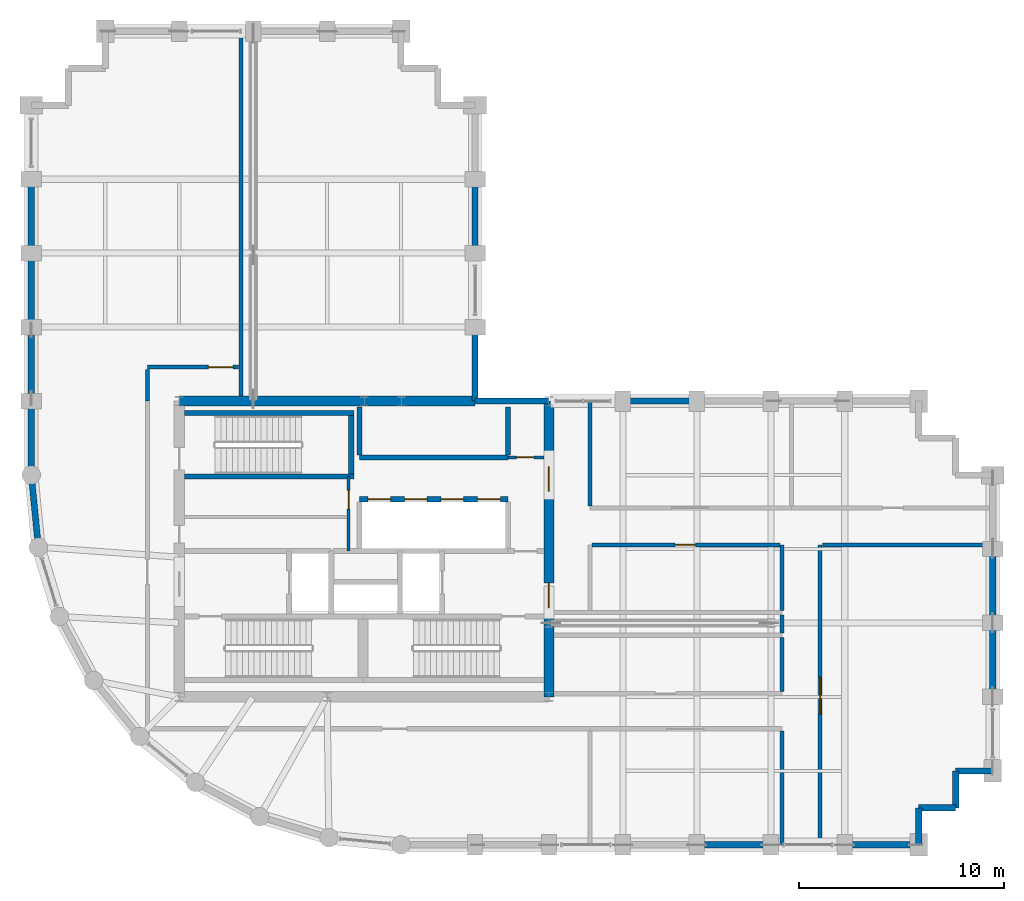
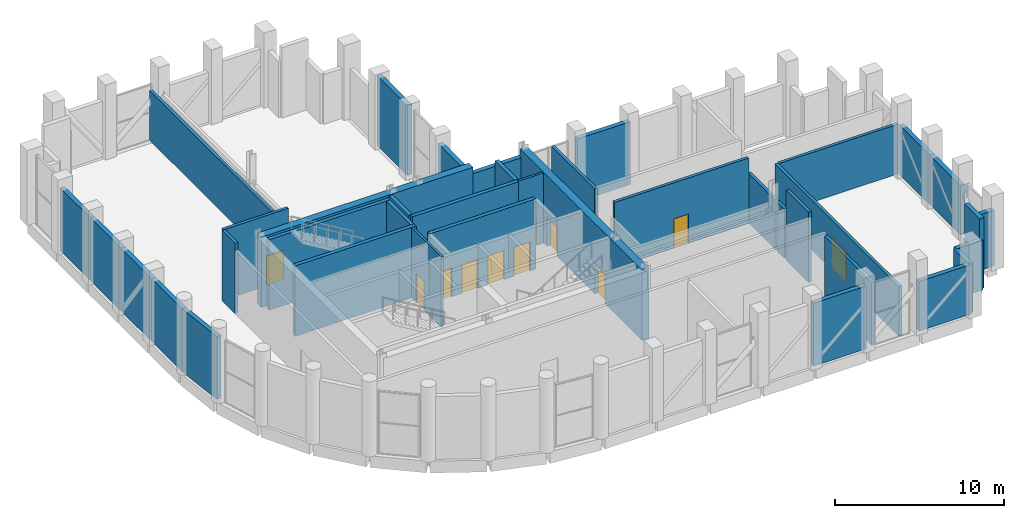
# One storey, part 17 of 19: 39 walls, 11 doors, 11 openings.
"""IFC4 building model written with IfcOpenShell, lengths in metres."""

from ifc_helpers import new_model, si_unit, direction, frame, frame_2d, origin, place, context, subcontext, project, spatial, rectangle, extrude, material, layer, layer_set, type_object, element, fill, save


model = new_model("IFC4")

# Units and contexts
model_context = context("Model", 3, precision=1e-05, world=origin(), true_north=direction((0.0, 1.0)))
body_context = subcontext(model_context, "Body", "Model", "MODEL_VIEW")
ifc_project = project(units=[si_unit("LENGTHUNIT", "METRE"), si_unit("AREAUNIT", "SQUARE_METRE"), si_unit("VOLUMEUNIT", "CUBIC_METRE"), si_unit("PLANEANGLEUNIT", "RADIAN"), si_unit("MASSUNIT", "GRAM", prefix="KILO")], contexts=[model_context])

# Site, building, storey
site_placement = place(None, origin())
site = spatial("IfcSite", under=ifc_project, at=site_placement, CompositionType="ELEMENT")
building_placement = place(site_placement, origin())
building = spatial("IfcBuilding", under=site, at=building_placement, Name="Solnavia Interchange Tower", CompositionType="ELEMENT")
storey_placement = place(building_placement, frame((0.0, 0.0, 169.39990234375)))
storey = spatial("IfcBuildingStorey", under=building, at=storey_placement, Name="L42", CompositionType="ELEMENT", Elevation=169.39990234375)

# Walls
ifc_material_1 = material(Name="Concrete C40/50", Category="concrete")
ifc_layer_1 = layer(ifc_material_1, 0.300048828125)
ifc_layer_set_1 = layer_set([ifc_layer_1], Name="Concrete C40/50")
wall_type_1 = type_object("IfcWallType", Name="Wall-ExtSpandrel-300", PredefinedType="STANDARD", material=ifc_layer_set_1)
wall_1_placement = place(storey_placement, frame((43.199951171875, 3.60009765625, 0.0), z_axis=(0.0, 0.0, 1.0), x_axis=(-1.0, 0.0, 0.0)))
element("IfcWall", 1, at=wall_1_placement, inside=storey, type_object=wall_type_1, Name="EXW-L42-05 Exterior precast spandrel wall", PredefinedType="STANDARD", context=body_context, shape_type="SweptSolid", body=[
    extrude(rectangle(XDim=3.599853515625, YDim=0.300048828125, at=frame_2d((1.7998046875, 0.0))), origin(), (0.0, 0.0, 1.0), 4.530029296875),
])
wall_2_placement = place(storey_placement, frame((50.39990234375, 3.60009765625, 0.0), z_axis=(0.0, 0.0, 1.0), x_axis=(-1.0, 0.0, 0.0)))
element("IfcWall", 2, at=wall_2_placement, inside=storey, type_object=wall_type_1, Name="EXW-L42-07 Exterior precast spandrel wall", PredefinedType="STANDARD", context=body_context, shape_type="SweptSolid", body=[
    extrude(rectangle(XDim=3.599853515625, YDim=0.300048828125, at=frame_2d((1.7998046875, 0.0))), origin(), (0.0, 0.0, 1.0), 3.580078125),
])
wall_3_placement = place(storey_placement, frame((50.39990234375, 5.39990234375, 0.0), z_axis=(0.0, 0.0, 1.0), x_axis=(0.0, -1.0, 0.0)))
element("IfcWall", 3, at=wall_3_placement, inside=storey, type_object=wall_type_1, Name="EXW-L42-08 Exterior precast spandrel wall", PredefinedType="STANDARD", context=body_context, shape_type="SweptSolid", body=[
    extrude(rectangle(XDim=1.7998046875, YDim=0.300048828125, at=frame_2d((0.89990234375, 0.0))), origin(), (0.0, 0.0, 1.0), 3.580078125),
])
wall_4_placement = place(storey_placement, frame((52.199951171875, 5.39990234375, 0.0), z_axis=(0.0, 0.0, 1.0), x_axis=(-1.0, 0.0, 0.0)))
element("IfcWall", 4, at=wall_4_placement, inside=storey, type_object=wall_type_1, Name="EXW-L42-09 Exterior precast spandrel wall", PredefinedType="STANDARD", context=body_context, shape_type="SweptSolid", body=[
    extrude(rectangle(XDim=1.800048828125, YDim=0.300048828125, at=frame_2d((0.89990234375, 0.0))), origin(), (0.0, 0.0, 1.0), 3.580078125),
])
wall_5_placement = place(storey_placement, frame((52.199951171875, 7.199951171875, 0.0), z_axis=(0.0, 0.0, 1.0), x_axis=(0.0, -1.0, 0.0)))
element("IfcWall", 5, at=wall_5_placement, inside=storey, type_object=wall_type_1, Name="EXW-L42-10 Exterior precast spandrel wall", PredefinedType="STANDARD", context=body_context, shape_type="SweptSolid", body=[
    extrude(rectangle(XDim=1.800048828125, YDim=0.300048828125, at=frame_2d((0.89990234375, 0.0))), origin(), (0.0, 0.0, 1.0), 5.065185546875),
])
wall_6_placement = place(storey_placement, frame((54.0, 7.199951171875, 0.0), z_axis=(0.0, 0.0, 1.0), x_axis=(-1.0, 0.0, 0.0)))
element("IfcWall", 6, at=wall_6_placement, inside=storey, type_object=wall_type_1, Name="EXW-L42-11 Exterior precast spandrel wall", PredefinedType="STANDARD", context=body_context, shape_type="SweptSolid", body=[
    extrude(rectangle(XDim=1.800048828125, YDim=0.300048828125, at=frame_2d((0.89990234375, 0.0))), origin(), (0.0, 0.0, 1.0), 4.030029296875),
])
wall_7_placement = place(storey_placement, frame((54.0, 14.39990234375, 0.0), z_axis=(0.0, 0.0, 1.0), x_axis=(0.0, -1.0, 0.0)))
element("IfcWall", 7, at=wall_7_placement, inside=storey, type_object=wall_type_1, Name="EXW-L42-13 Exterior precast spandrel wall", PredefinedType="STANDARD", context=body_context, shape_type="SweptSolid", body=[
    extrude(rectangle(XDim=3.599853515625, YDim=0.300048828125, at=frame_2d((1.7998046875, 0.0))), origin(), (0.0, 0.0, 1.0), 3.580078125),
])
wall_8_placement = place(storey_placement, frame((54.0, 18.0, 0.0), z_axis=(0.0, 0.0, 1.0), x_axis=(0.0, -1.0, 0.0)))
element("IfcWall", 8, at=wall_8_placement, inside=storey, type_object=wall_type_1, Name="EXW-L42-14 Exterior precast spandrel wall", PredefinedType="STANDARD", context=body_context, shape_type="SweptSolid", body=[
    extrude(rectangle(XDim=3.60009765625, YDim=0.300048828125, at=frame_2d((1.800048828125, 0.0))), origin(), (0.0, 0.0, 1.0), 3.580078125),
])
wall_9_placement = place(storey_placement, frame((36.0, 25.199951171875, 0.0), z_axis=(0.0, 0.0, 1.0), x_axis=(1.0, 0.0, 0.0)))
element("IfcWall", 9, at=wall_9_placement, inside=storey, type_object=wall_type_1, Name="EXW-L42-23 Exterior precast spandrel wall", PredefinedType="STANDARD", context=body_context, shape_type="SweptSolid", body=[
    extrude(rectangle(XDim=3.60009765625, YDim=0.300048828125, at=frame_2d((1.800048828125, 0.0))), origin(), (0.0, 0.0, 1.0), 4.530029296875),
])
wall_10_placement = place(storey_placement, frame((28.800048828125, 25.199951171875, 0.0), z_axis=(0.0, 0.0, 1.0), x_axis=(1.0, 0.0, 0.0)))
element("IfcWall", 10, at=wall_10_placement, inside=storey, type_object=wall_type_1, Name="EXW-L42-25 Exterior precast spandrel wall", PredefinedType="STANDARD", context=body_context, shape_type="SweptSolid", body=[
    extrude(rectangle(XDim=3.599853515625, YDim=0.300048828125, at=frame_2d((1.7998046875, 0.0))), origin(), (0.0, 0.0, 1.0), 4.530029296875),
])
wall_11_placement = place(storey_placement, frame((28.800048828125, 28.800048828125, 0.0), z_axis=(0.0, 0.0, 1.0), x_axis=(0.0, -1.0, 0.0)))
element("IfcWall", 11, at=wall_11_placement, inside=storey, type_object=wall_type_1, Name="EXW-L42-26 Exterior precast spandrel wall", PredefinedType="STANDARD", context=body_context, shape_type="SweptSolid", body=[
    extrude(rectangle(XDim=3.60009765625, YDim=0.300048828125, at=frame_2d((1.800048828125, 0.0))), origin(), (0.0, 0.0, 1.0), 4.530029296875),
])
wall_12_placement = place(storey_placement, frame((28.800048828125, 36.0, 0.0), z_axis=(0.0, 0.0, 1.0), x_axis=(0.0, -1.0, 0.0)))
element("IfcWall", 12, at=wall_12_placement, inside=storey, type_object=wall_type_1, Name="EXW-L42-28 Exterior precast spandrel wall", PredefinedType="STANDARD", context=body_context, shape_type="SweptSolid", body=[
    extrude(rectangle(XDim=3.60009765625, YDim=0.300048828125, at=frame_2d((1.800048828125, 0.0))), origin(), (0.0, 0.0, 1.0), 5.065185546875),
])
wall_13_placement = place(storey_placement, frame((7.199951171875, 32.39990234375, 0.0), z_axis=(0.0, 0.0, 1.0), x_axis=(0.0, 1.0, 0.0)))
element("IfcWall", 13, at=wall_13_placement, inside=storey, type_object=wall_type_1, Name="EXW-L42-43 Exterior precast spandrel wall", PredefinedType="STANDARD", context=body_context, shape_type="SweptSolid", body=[
    extrude(rectangle(XDim=3.60009765625, YDim=0.300048828125, at=frame_2d((1.800048828125, 0.0))), origin(), (0.0, 0.0, 1.0), 4.530029296875),
])
wall_14_placement = place(storey_placement, frame((7.199951171875, 28.800048828125, 0.0), z_axis=(0.0, 0.0, 1.0), x_axis=(0.0, 1.0, 0.0)))
element("IfcWall", 14, at=wall_14_placement, inside=storey, type_object=wall_type_1, Name="EXW-L42-44 Exterior precast spandrel wall", PredefinedType="STANDARD", context=body_context, shape_type="SweptSolid", body=[
    extrude(rectangle(XDim=3.599853515625, YDim=0.300048828125, at=frame_2d((1.7998046875, 0.0))), origin(), (0.0, 0.0, 1.0), 4.530029296875),
])
wall_15_placement = place(storey_placement, frame((7.199951171875, 25.199951171875, 0.0), z_axis=(0.0, 0.0, 1.0), x_axis=(0.0, 1.0, 0.0)))
element("IfcWall", 15, at=wall_15_placement, inside=storey, type_object=wall_type_1, Name="EXW-L42-45 Exterior precast spandrel wall", PredefinedType="STANDARD", context=body_context, shape_type="SweptSolid", body=[
    extrude(rectangle(XDim=3.60009765625, YDim=0.300048828125, at=frame_2d((1.800048828125, 0.0))), origin(), (0.0, 0.0, 1.0), 4.530029296875),
])
wall_16_placement = place(storey_placement, frame((7.199951171875, 21.60009765625, 0.0), z_axis=(0.0, 0.0, 1.0), x_axis=(0.0, 1.0, 0.0)))
element("IfcWall", 16, at=wall_16_placement, inside=storey, type_object=wall_type_1, Name="EXW-L42-46 Exterior precast spandrel wall", PredefinedType="STANDARD", context=body_context, shape_type="SweptSolid", body=[
    extrude(rectangle(XDim=3.599853515625, YDim=0.300048828125, at=frame_2d((1.7998046875, 0.0))), origin(), (0.0, 0.0, 1.0), 4.530029296875),
])
wall_17_placement = place(storey_placement, frame((7.5458984375, 18.087890625, 0.0), z_axis=(0.0, 0.0, 1.0), x_axis=(-0.09802417461, 0.995184033831, 0.0)))
element("IfcWall", 17, at=wall_17_placement, inside=storey, type_object=wall_type_1, Name="EXW-L42-47 Exterior precast spandrel wall", PredefinedType="STANDARD", context=body_context, shape_type="SweptSolid", body=[
    extrude(rectangle(XDim=3.529296875, YDim=0.300048828125, at=frame_2d((1.7646484375, 0.0))), origin(), (0.0, 0.0, 1.0), 4.530029296875),
])

# Wall, opening, door
ifc_material_2 = material(Name="Gypsum Plasterboard & Steel Stud", Category="steel")
ifc_layer_2 = layer(ifc_material_2, 0.14990234375)
ifc_layer_set_2 = layer_set([ifc_layer_2], Name="Gypsum Plasterboard & Steel Stud")
wall_type_2 = type_object("IfcWallType", Name="Wall-Partition-150", PredefinedType="PARTITIONING", material=ifc_layer_set_2)
wall_18_placement = place(storey_placement, frame((22.64990234375, 17.89990234375, 0.0), z_axis=(0.0, 0.0, 1.0), x_axis=(0.0, 1.0, 0.0)))
wall_18 = element("IfcWall", 18, at=wall_18_placement, inside=storey, type_object=wall_type_2, Name="CSW-L42-E Core shaft wall", PredefinedType="PARTITIONING", context=body_context, shape_type="SweptSolid", body=[
    extrude(rectangle(XDim=3.625, YDim=0.14990234375, at=frame_2d((1.8125, 0.0))), origin(), (0.0, 0.0, 1.0), 5.065185546875),
])
opening_1_placement = place(wall_18_placement, frame((2.050048828125, 0.0, 0.0)))
opening_1 = element("IfcOpeningElement", 19, at=opening_1_placement, cuts=wall_18, Name="Opening DR-09", PredefinedType="OPENING", context=body_context, shape_type="SweptSolid", body=[
    extrude(rectangle(XDim=0.89990234375, YDim=2.10009765625, at=frame_2d((0.449951171875, 1.050048828125))), frame((0.0, 0.0849609375, 0.0), z_axis=(0.0, -1.0, 0.0), x_axis=(1.0, 0.0, 0.0)), (0.0, 0.0, 1.0), 0.169921875),
])
ifc_material_3 = material(Name="Engineered Oak Veneer Door", Category="wood")
door_type_1 = type_object("IfcDoorType", Name="Door-Internal-900x2100", OperationType="SINGLE_SWING_LEFT", PredefinedType="DOOR", material=ifc_material_3)
door_1_placement = place(opening_1_placement, origin())
door_1 = element("IfcDoor", 20, at=door_1_placement, inside=storey, type_object=door_type_1, Name="DR-L42-CS2 Core fire door", OperationType="SINGLE_SWING_LEFT", OverallHeight=2.10009765625, OverallWidth=0.89990234375, PredefinedType="DOOR", context=body_context, shape_type="SweptSolid", body=[
    extrude(rectangle(XDim=0.89990234375, YDim=2.10009765625, at=frame_2d((0.449951171875, 1.050048828125))), frame((0.0, 0.02490234375, 0.0), z_axis=(0.0, -1.0, 0.0), x_axis=(1.0, 0.0, 0.0)), (0.0, 0.0, 1.0), 0.050048828125),
])
fill(opening_1, door_1)

wall_19_placement = place(storey_placement, frame((30.39990234375, 22.4599609375, 0.0), z_axis=(0.0, 0.0, 1.0), x_axis=(1.0, 0.0, 0.0)))
wall_19 = element("IfcWall", 21, at=wall_19_placement, inside=storey, type_object=wall_type_2, Name="CSW-L42-NE-S Core shaft wall", PredefinedType="PARTITIONING", context=body_context, shape_type="SweptSolid", body=[
    extrude(rectangle(XDim=1.75, YDim=0.14990234375, at=frame_2d((0.875, 0.0))), origin(), (0.0, 0.0, 1.0), 5.065185546875),
])
opening_2_placement = place(wall_19_placement, frame((0.419921875, 0.0, 0.0)))
opening_2 = element("IfcOpeningElement", 22, at=opening_2_placement, cuts=wall_19, Name="Opening DR-10", PredefinedType="OPENING", context=body_context, shape_type="SweptSolid", body=[
    extrude(rectangle(XDim=0.85009765625, YDim=2.10009765625, at=frame_2d((0.425048828125, 1.050048828125))), frame((0.0, 0.0849609375, 0.0), z_axis=(0.0, -1.0, 0.0), x_axis=(1.0, 0.0, 0.0)), (0.0, 0.0, 1.0), 0.169921875),
])
ifc_material_4 = material(Name="Moisture-Resistant Timber Door", Category="wood")
door_type_2 = type_object("IfcDoorType", Name="Door-Bathroom-850x2100", OperationType="SINGLE_SWING_RIGHT", PredefinedType="DOOR", material=ifc_material_4)
door_2_placement = place(opening_2_placement, origin())
door_2 = element("IfcDoor", 23, at=door_2_placement, inside=storey, type_object=door_type_2, Name="DR-L42-CS3 Core fire door", OperationType="SINGLE_SWING_RIGHT", OverallHeight=2.10009765625, OverallWidth=0.85009765625, PredefinedType="DOOR", context=body_context, shape_type="SweptSolid", body=[
    extrude(rectangle(XDim=0.85009765625, YDim=2.10009765625, at=frame_2d((0.425048828125, 1.050048828125))), frame((0.0, 0.02490234375, 0.0), z_axis=(0.0, -1.0, 0.0), x_axis=(1.0, 0.0, 0.0)), (0.0, 0.0, 1.0), 0.050048828125),
])
fill(opening_2, door_2)

# Wall
ifc_layer_3 = layer(ifc_material_1, 0.199951171875)
ifc_layer_set_3 = layer_set([ifc_layer_3], Name="Concrete C40/50")
wall_type_3 = type_object("IfcWallType", Name="Wall-PlantFire-200", PredefinedType="PARTITIONING", material=ifc_layer_set_3)
wall_20_placement = place(storey_placement, frame((17.39990234375, 25.4541015625, 0.0), z_axis=(0.0, 0.0, 1.0), x_axis=(0.0, 1.0, 0.0)))
element("IfcWall", 24, at=wall_20_placement, inside=storey, type_object=wall_type_3, Name="PTW-L42-01 Interior partition wall", PredefinedType="PARTITIONING", context=body_context, shape_type="SweptSolid", body=[
    extrude(rectangle(XDim=17.745849609375, YDim=0.199951171875, at=frame_2d((8.873046875, 0.0))), origin(), (0.0, 0.0, 1.0), 3.580078125),
])

# Wall, opening, door
wall_21_placement = place(storey_placement, frame((12.85009765625, 26.85009765625, 0.0), z_axis=(0.0, 0.0, 1.0), x_axis=(1.0, 0.0, 0.0)))
wall_21 = element("IfcWall", 25, at=wall_21_placement, inside=storey, type_object=wall_type_3, Name="PTW-L42-03 Interior partition wall", PredefinedType="PARTITIONING", context=body_context, shape_type="SweptSolid", body=[
    extrude(rectangle(XDim=4.44580078125, YDim=0.199951171875, at=frame_2d((2.222900390625, 0.0))), origin(), (0.0, 0.0, 1.0), 5.065185546875),
])
opening_3_placement = place(wall_21_placement, frame((2.969970703125, 0.0, 0.0)))
opening_3 = element("IfcOpeningElement", 26, at=opening_3_placement, cuts=wall_21, Name="Opening DR-02", PredefinedType="OPENING", context=body_context, shape_type="SweptSolid", body=[
    extrude(rectangle(XDim=1.199951171875, YDim=2.10009765625, at=frame_2d((0.60009765625, 1.050048828125))), frame((0.0, 0.10986328125, 0.0), z_axis=(0.0, -1.0, 0.0), x_axis=(1.0, 0.0, 0.0)), (0.0, 0.0, 1.0), 0.219970703125),
])
ifc_material_5 = material(Name="Steel Fire-Rated Vision-Panel Door", Category="steel")
door_type_3 = type_object("IfcDoorType", Name="Door-LobbyFire-1200x2100", OperationType="SINGLE_SWING_RIGHT", PredefinedType="DOOR", material=ifc_material_5)
door_3_placement = place(opening_3_placement, origin())
door_3 = element("IfcDoor", 27, at=door_3_placement, inside=storey, type_object=door_type_3, Name="DR-L42-02 Interior room door", OperationType="SINGLE_SWING_RIGHT", OverallHeight=2.10009765625, OverallWidth=1.199951171875, PredefinedType="DOOR", context=body_context, shape_type="SweptSolid", body=[
    extrude(rectangle(XDim=1.199951171875, YDim=2.10009765625, at=frame_2d((0.60009765625, 1.050048828125))), frame((0.0, 0.02490234375, 0.0), z_axis=(0.0, -1.0, 0.0), x_axis=(1.0, 0.0, 0.0)), (0.0, 0.0, 1.0), 0.050048828125),
])
fill(opening_3, door_3)

# Walls
wall_22_placement = place(storey_placement, frame((12.85009765625, 25.199951171875, 0.0), z_axis=(0.0, 0.0, 1.0), x_axis=(0.0, 1.0, 0.0)))
element("IfcWall", 28, at=wall_22_placement, inside=storey, type_object=wall_type_3, Name="PTW-L42-04 Interior partition wall", PredefinedType="PARTITIONING", context=body_context, shape_type="SweptSolid", body=[
    extrude(rectangle(XDim=1.546142578125, YDim=0.199951171875, at=frame_2d((0.77294921875, 0.0))), origin(), (0.0, 0.0, 1.0), 5.065185546875),
])
wall_23_placement = place(storey_placement, frame((43.75, 13.904052734375, 0.0), z_axis=(0.0, 0.0, 1.0), x_axis=(0.0, 1.0, 0.0)))
element("IfcWall", 29, at=wall_23_placement, inside=storey, type_object=wall_type_3, Name="PTW-L42-08 Interior partition wall", PredefinedType="PARTITIONING", context=body_context, shape_type="SweptSolid", body=[
    extrude(rectangle(XDim=0.891845703125, YDim=0.199951171875, at=frame_2d((0.44580078125, 0.0))), origin(), (0.0, 0.0, 1.0), 3.580078125),
])
wall_24_placement = place(storey_placement, frame((43.75, 3.60009765625, 0.0), z_axis=(0.0, 0.0, 1.0), x_axis=(0.0, 1.0, 0.0)))
element("IfcWall", 30, at=wall_24_placement, inside=storey, type_object=wall_type_3, Name="PTW-L42-12 Interior partition wall", PredefinedType="PARTITIONING", context=body_context, shape_type="SweptSolid", body=[
    extrude(rectangle(XDim=5.5458984375, YDim=0.199951171875, at=frame_2d((2.77294921875, 0.0))), origin(), (0.0, 0.0, 1.0), 4.530029296875),
])

# Wall, opening, door
wall_25_placement = place(storey_placement, frame((45.60009765625, 3.60009765625, 0.0), z_axis=(0.0, 0.0, 1.0), x_axis=(0.0, 1.0, 0.0)))
wall_25 = element("IfcWall", 31, at=wall_25_placement, inside=storey, type_object=wall_type_3, Name="PTW-L42-13 Interior partition wall", PredefinedType="PARTITIONING", context=body_context, shape_type="SweptSolid", body=[
    extrude(rectangle(XDim=14.599853515625, YDim=0.199951171875, at=frame_2d((7.2998046875, 0.0))), origin(), (0.0, 0.0, 1.0), 3.580078125),
])
opening_4_placement = place(wall_25_placement, frame((6.360107421875, 0.0, 0.0)))
opening_4 = element("IfcOpeningElement", 32, at=opening_4_placement, cuts=wall_25, Name="Opening DR-05", PredefinedType="OPENING", context=body_context, shape_type="SweptSolid", body=[
    extrude(rectangle(XDim=1.800048828125, YDim=2.199951171875, at=frame_2d((0.89990234375, 1.10009765625))), frame((0.0, 0.10986328125, 0.0), z_axis=(0.0, -1.0, 0.0), x_axis=(1.0, 0.0, 0.0)), (0.0, 0.0, 1.0), 0.219970703125),
])
ifc_material_6 = material(Name="Steel Double Fire Door", Category="steel")
door_type_4 = type_object("IfcDoorType", Name="Door-PlantDouble-1800x2200", OperationType="DOUBLE_DOOR_SINGLE_SWING", PredefinedType="DOOR", material=ifc_material_6)
door_4_placement = place(opening_4_placement, origin())
door_4 = element("IfcDoor", 33, at=door_4_placement, inside=storey, type_object=door_type_4, Name="DR-L42-05 Interior room door", OperationType="DOUBLE_DOOR_SINGLE_SWING", OverallHeight=2.199951171875, OverallWidth=1.800048828125, PredefinedType="DOOR", context=body_context, shape_type="SweptSolid", body=[
    extrude(rectangle(XDim=1.800048828125, YDim=2.199951171875, at=frame_2d((0.89990234375, 1.10009765625))), frame((0.0, 0.02490234375, 0.0), z_axis=(0.0, -1.0, 0.0), x_axis=(1.0, 0.0, 0.0)), (0.0, 0.0, 1.0), 0.050048828125),
])
fill(opening_4, door_4)

# Walls
wall_26_placement = place(storey_placement, frame((45.7041015625, 18.199951171875, 0.0), z_axis=(0.0, 0.0, 1.0), x_axis=(1.0, 0.0, 0.0)))
element("IfcWall", 34, at=wall_26_placement, inside=storey, type_object=wall_type_3, Name="PTW-L42-14 Interior partition wall", PredefinedType="PARTITIONING", context=body_context, shape_type="SweptSolid", body=[
    extrude(rectangle(XDim=8.141845703125, YDim=0.199951171875, at=frame_2d((4.07080078125, 0.0))), origin(), (0.0, 0.0, 1.0), 3.580078125),
])
wall_27_placement = place(storey_placement, frame((43.75, 15.00390625, 0.0), z_axis=(0.0, 0.0, 1.0), x_axis=(0.0, 1.0, 0.0)))
element("IfcWall", 35, at=wall_27_placement, inside=storey, type_object=wall_type_3, Name="PTW-L42-16 Interior partition wall", PredefinedType="PARTITIONING", context=body_context, shape_type="SweptSolid", body=[
    extrude(rectangle(XDim=3.196044921875, YDim=0.199951171875, at=frame_2d((1.59814453125, 0.0))), origin(), (0.0, 0.0, 1.0), 3.580078125),
])

# Wall, opening, door
wall_28_placement = place(storey_placement, frame((34.50390625, 18.199951171875, 0.0), z_axis=(0.0, 0.0, 1.0), x_axis=(1.0, 0.0, 0.0)))
wall_28 = element("IfcWall", 36, at=wall_28_placement, inside=storey, type_object=wall_type_3, Name="PTW-L42-17 Interior partition wall", PredefinedType="PARTITIONING", context=body_context, shape_type="SweptSolid", body=[
    extrude(rectangle(XDim=9.14208984375, YDim=0.199951171875, at=frame_2d((4.571044921875, 0.0))), origin(), (0.0, 0.0, 1.0), 4.7001953125),
])
opening_5_placement = place(wall_28_placement, frame((4.031005859375, 0.0, 0.0)))
opening_5 = element("IfcOpeningElement", 37, at=opening_5_placement, cuts=wall_28, Name="Opening DR-04", PredefinedType="OPENING", context=body_context, shape_type="SweptSolid", body=[
    extrude(rectangle(XDim=1.0, YDim=2.10009765625, at=frame_2d((0.5, 1.050048828125))), frame((0.0, 0.10986328125, 0.0), z_axis=(0.0, -1.0, 0.0), x_axis=(1.0, 0.0, 0.0)), (0.0, 0.0, 1.0), 0.219970703125),
])
ifc_material_7 = material(Name="Steel Fire-Rated Plant Door", Category="steel")
door_type_5 = type_object("IfcDoorType", Name="Door-PlantFire-1000x2100", OperationType="SINGLE_SWING_LEFT", PredefinedType="DOOR", material=ifc_material_7)
door_5_placement = place(opening_5_placement, origin())
door_5 = element("IfcDoor", 38, at=door_5_placement, inside=storey, type_object=door_type_5, Name="DR-L42-06 Interior room door", OperationType="SINGLE_SWING_LEFT", OverallHeight=2.10009765625, OverallWidth=1.0, PredefinedType="DOOR", context=body_context, shape_type="SweptSolid", body=[
    extrude(rectangle(XDim=1.0, YDim=2.10009765625, at=frame_2d((0.5, 1.050048828125))), frame((0.0, 0.02490234375, 0.0), z_axis=(0.0, -1.0, 0.0), x_axis=(1.0, 0.0, 0.0)), (0.0, 0.0, 1.0), 0.050048828125),
])
fill(opening_5, door_5)

# Walls
wall_29_placement = place(storey_placement, frame((34.39990234375, 20.10400390625, 0.0), z_axis=(0.0, 0.0, 1.0), x_axis=(0.0, 1.0, 0.0)))
element("IfcWall", 39, at=wall_29_placement, inside=storey, type_object=wall_type_3, Name="PTW-L42-20 Interior partition wall", PredefinedType="PARTITIONING", context=body_context, shape_type="SweptSolid", body=[
    extrude(rectangle(XDim=5.095947265625, YDim=0.199951171875, at=frame_2d((2.5478515625, 0.0))), origin(), (0.0, 0.0, 1.0), 4.530029296875),
])
wall_30_placement = place(storey_placement, frame((43.75, 11.053955078125, 0.0), z_axis=(0.0, 0.0, 1.0), x_axis=(0.0, 1.0, 0.0)))
element("IfcWall", 40, at=wall_30_placement, inside=storey, type_object=wall_type_3, Name="PTW-L42-23 Interior partition wall", PredefinedType="PARTITIONING", context=body_context, shape_type="SweptSolid", body=[
    extrude(rectangle(XDim=2.64208984375, YDim=0.199951171875, at=frame_2d((1.321044921875, 0.0))), origin(), (0.0, 0.0, 1.0), 5.065185546875),
])
ifc_layer_4 = layer(ifc_material_1, 0.25)
ifc_layer_set_4 = layer_set([ifc_layer_4], Name="Concrete C40/50")
wall_type_4 = type_object("IfcWallType", Name="Wall-ShaftCore-250", PredefinedType="SHEAR", material=ifc_layer_set_4)
for number, where, z_axis, x_axis, name in (
    (41, (14.64990234375, 21.52490234375, 0.0), (0.0, 0.0, 1.0), (1.0, 0.0, 0.0), "SHW-L42-ST3S Core shear wall"),
    (42, (14.64990234375, 24.614990234375, 0.0), (0.0, 0.0, 1.0), (1.0, 0.0, 0.0), "SHW-L42-ST3N Core shear wall"),
):
    element("IfcWall", number, at=place(storey_placement, frame(where, z_axis=z_axis, x_axis=x_axis)), inside=storey, type_object=wall_type_4, Name=name, PredefinedType="SHEAR", context=body_context, shape_type="SweptSolid", body=[
        extrude(rectangle(XDim=8.25, YDim=0.25, at=frame_2d((4.125, 0.0))), origin(), (0.0, 0.0, 1.0), 5.080078125),
    ])
wall_31_placement = place(storey_placement, frame((22.77490234375, 21.64990234375, 0.0), z_axis=(0.0, 0.0, 1.0), x_axis=(0.0, 1.0, 0.0)))
element("IfcWall", 43, at=wall_31_placement, inside=storey, type_object=wall_type_4, Name="SHW-L42-ST3E Core shear wall", PredefinedType="SHEAR", context=body_context, shape_type="SweptSolid", body=[
    extrude(rectangle(XDim=2.840087890625, YDim=0.25, at=frame_2d((1.419921875, 0.0))), origin(), (0.0, 0.0, 1.0), 5.080078125),
])

# Wall, openings, doors
ifc_layer_5 = layer(ifc_material_1, 0.25)
ifc_layer_set_5 = layer_set([ifc_layer_5], Name="Concrete C40/50")
wall_type_5 = type_object("IfcWallType", Name="Wall-ShaftPart-250", PredefinedType="PARTITIONING", material=ifc_layer_set_5)
wall_32_placement = place(storey_placement, frame((23.179931640625, 20.419921875, 0.0), z_axis=(0.0, 0.0, 1.0), x_axis=(1.0, 0.0, 0.0)))
wall_32 = element("IfcWall", 44, at=wall_32_placement, inside=storey, type_object=wall_type_5, Name="SHW-L42-B2N Core shaft wall", PredefinedType="PARTITIONING", context=body_context, shape_type="SweptSolid", body=[
    extrude(rectangle(XDim=7.219970703125, YDim=0.25, at=frame_2d((3.60986328125, 0.0))), origin(), (0.0, 0.0, 1.0), 5.065185546875),
])
opening_6_placement = place(wall_32_placement, frame((0.409912109375, 0.0, 0.0)))
opening_6 = element("IfcOpeningElement", 45, at=opening_6_placement, cuts=wall_32, Name="Opening LD-01", PredefinedType="OPENING", context=body_context, shape_type="SweptSolid", body=[
    extrude(rectangle(XDim=1.10009765625, YDim=2.10009765625, at=frame_2d((0.550048828125, 1.050048828125))), frame((0.0, 0.135009765625, 0.0), z_axis=(0.0, -1.0, 0.0), x_axis=(1.0, 0.0, 0.0)), (0.0, 0.0, 1.0), 0.27001953125),
])
opening_7_placement = place(wall_32_placement, frame((2.18994140625, 0.0, 0.0)))
opening_7 = element("IfcOpeningElement", 46, at=opening_7_placement, cuts=wall_32, Name="Opening LD-01", PredefinedType="OPENING", context=body_context, shape_type="SweptSolid", body=[
    extrude(rectangle(XDim=1.10009765625, YDim=2.10009765625, at=frame_2d((0.550048828125, 1.050048828125))), frame((0.0, 0.135009765625, 0.0), z_axis=(0.0, -1.0, 0.0), x_axis=(1.0, 0.0, 0.0)), (0.0, 0.0, 1.0), 0.27001953125),
])
opening_8_placement = place(wall_32_placement, frame((3.969970703125, 0.0, 0.0)))
opening_8 = element("IfcOpeningElement", 47, at=opening_8_placement, cuts=wall_32, Name="Opening LD-01", PredefinedType="OPENING", context=body_context, shape_type="SweptSolid", body=[
    extrude(rectangle(XDim=1.10009765625, YDim=2.10009765625, at=frame_2d((0.550048828125, 1.050048828125))), frame((0.0, 0.135009765625, 0.0), z_axis=(0.0, -1.0, 0.0), x_axis=(1.0, 0.0, 0.0)), (0.0, 0.0, 1.0), 0.27001953125),
])
opening_9_placement = place(wall_32_placement, frame((5.75, 0.0, 0.0)))
opening_9 = element("IfcOpeningElement", 48, at=opening_9_placement, cuts=wall_32, Name="Opening LD-01", PredefinedType="OPENING", context=body_context, shape_type="SweptSolid", body=[
    extrude(rectangle(XDim=1.10009765625, YDim=2.10009765625, at=frame_2d((0.550048828125, 1.050048828125))), frame((0.0, 0.135009765625, 0.0), z_axis=(0.0, -1.0, 0.0), x_axis=(1.0, 0.0, 0.0)), (0.0, 0.0, 1.0), 0.27001953125),
])
ifc_material_8 = material(Name="Brushed Stainless Steel Sliding Door", Category="steel")
door_type_6 = type_object("IfcDoorType", Name="Door-LiftLanding-1100x2100", OperationType="SLIDING_TO_LEFT", PredefinedType="DOOR", material=ifc_material_8)
door_6_placement = place(opening_6_placement, origin())
door_6 = element("IfcDoor", 49, at=door_6_placement, inside=storey, type_object=door_type_6, Name="LD-L42-B2-1 Lift landing sliding door", OperationType="SLIDING_TO_LEFT", OverallHeight=2.10009765625, OverallWidth=1.10009765625, PredefinedType="DOOR", context=body_context, shape_type="SweptSolid", body=[
    extrude(rectangle(XDim=1.10009765625, YDim=2.10009765625, at=frame_2d((0.550048828125, 1.050048828125))), frame((0.0, 0.02490234375, 0.0), z_axis=(0.0, -1.0, 0.0), x_axis=(1.0, 0.0, 0.0)), (0.0, 0.0, 1.0), 0.050048828125),
])
fill(opening_6, door_6)
door_7_placement = place(opening_7_placement, origin())
door_7 = element("IfcDoor", 50, at=door_7_placement, inside=storey, type_object=door_type_6, Name="LD-L42-B2-2 Lift landing sliding door", OperationType="SLIDING_TO_LEFT", OverallHeight=2.10009765625, OverallWidth=1.10009765625, PredefinedType="DOOR", context=body_context, shape_type="SweptSolid", body=[
    extrude(rectangle(XDim=1.10009765625, YDim=2.10009765625, at=frame_2d((0.550048828125, 1.050048828125))), frame((0.0, 0.02490234375, 0.0), z_axis=(0.0, -1.0, 0.0), x_axis=(1.0, 0.0, 0.0)), (0.0, 0.0, 1.0), 0.050048828125),
])
fill(opening_7, door_7)
door_8_placement = place(opening_8_placement, origin())
door_8 = element("IfcDoor", 51, at=door_8_placement, inside=storey, type_object=door_type_6, Name="LD-L42-B2-3 Lift landing sliding door", OperationType="SLIDING_TO_LEFT", OverallHeight=2.10009765625, OverallWidth=1.10009765625, PredefinedType="DOOR", context=body_context, shape_type="SweptSolid", body=[
    extrude(rectangle(XDim=1.10009765625, YDim=2.10009765625, at=frame_2d((0.550048828125, 1.050048828125))), frame((0.0, 0.02490234375, 0.0), z_axis=(0.0, -1.0, 0.0), x_axis=(1.0, 0.0, 0.0)), (0.0, 0.0, 1.0), 0.050048828125),
])
fill(opening_8, door_8)
door_9_placement = place(opening_9_placement, origin())
door_9 = element("IfcDoor", 52, at=door_9_placement, inside=storey, type_object=door_type_6, Name="LD-L42-B2-4 Lift landing sliding door", OperationType="SLIDING_TO_LEFT", OverallHeight=2.10009765625, OverallWidth=1.10009765625, PredefinedType="DOOR", context=body_context, shape_type="SweptSolid", body=[
    extrude(rectangle(XDim=1.10009765625, YDim=2.10009765625, at=frame_2d((0.550048828125, 1.050048828125))), frame((0.0, 0.02490234375, 0.0), z_axis=(0.0, -1.0, 0.0), x_axis=(1.0, 0.0, 0.0)), (0.0, 0.0, 1.0), 0.050048828125),
])
fill(opening_9, door_9)

# Walls
wall_33_placement = place(storey_placement, frame((23.179931640625, 22.4599609375, 0.0), z_axis=(0.0, 0.0, 1.0), x_axis=(1.0, 0.0, 0.0)))
element("IfcWall", 53, at=wall_33_placement, inside=storey, type_object=wall_type_5, Name="SHW-L42-B3S Core shaft wall", PredefinedType="PARTITIONING", context=body_context, shape_type="SweptSolid", body=[
    extrude(rectangle(XDim=7.219970703125, YDim=0.25, at=frame_2d((3.60986328125, 0.0))), origin(), (0.0, 0.0, 1.0), 5.065185546875),
])
for number, where, z_axis, x_axis, name in (
    (54, (23.179931640625, 22.5849609375, 0.0), (0.0, 0.0, 1.0), (0.0, 1.0, 0.0), "SHW-L42-B3W Core shaft wall"),
    (55, (30.39990234375, 22.5849609375, 0.0), (0.0, 0.0, 1.0), (0.0, 1.0, 0.0), "SHW-L42-B3E Core shaft wall"),
):
    element("IfcWall", number, at=place(storey_placement, frame(where, z_axis=z_axis, x_axis=x_axis)), inside=storey, type_object=wall_type_5, Name=name, PredefinedType="PARTITIONING", context=body_context, shape_type="SweptSolid", body=[
        extrude(rectangle(XDim=2.31494140625, YDim=0.25, at=frame_2d((1.157470703125, 0.0))), origin(), (0.0, 0.0, 1.0), 5.065185546875),
    ])
ifc_material_9 = material(Name="Concrete C60/75", Category="concrete")
ifc_layer_6 = layer(ifc_material_9, 0.5)
ifc_layer_set_6 = layer_set([ifc_layer_6], Name="Concrete C60/75")
wall_type_6 = type_object("IfcWallType", Name="Wall-ShearCore-500", PredefinedType="SHEAR", material=ifc_layer_set_6)
wall_34_placement = place(storey_placement, frame((14.39990234375, 25.199951171875, 0.0), z_axis=(0.0, 0.0, 1.0), x_axis=(1.0, 0.0, 0.0)))
element("IfcWall", 56, at=wall_34_placement, inside=storey, type_object=wall_type_6, Name="CRW-L42-N Core shear wall", PredefinedType="SHEAR", context=body_context, shape_type="SweptSolid", body=[
    extrude(rectangle(XDim=14.400146484375, YDim=0.5, at=frame_2d((7.2001953125, 0.0))), origin(), (0.0, 0.0, 1.0), 5.080078125),
])

# Wall, openings, doors
wall_35_placement = place(storey_placement, frame((32.39990234375, 10.800048828125, 0.0), z_axis=(0.0, 0.0, 1.0), x_axis=(0.0, 1.0, 0.0)))
wall_35 = element("IfcWall", 57, at=wall_35_placement, inside=storey, type_object=wall_type_6, Name="CRW-L42-E Core shear wall", PredefinedType="SHEAR", context=body_context, shape_type="SweptSolid", body=[
    extrude(rectangle(XDim=14.39990234375, YDim=0.5, at=frame_2d((7.199951171875, 0.0))), origin(), (0.0, 0.0, 1.0), 5.080078125),
])
opening_10_placement = place(wall_35_placement, frame((4.35009765625, 0.0, 0.0)))
opening_10 = element("IfcOpeningElement", 58, at=opening_10_placement, cuts=wall_35, Name="Opening DR-02", PredefinedType="OPENING", context=body_context, shape_type="SweptSolid", body=[
    extrude(rectangle(XDim=1.199951171875, YDim=2.10009765625, at=frame_2d((0.60009765625, 1.050048828125))), frame((0.0, 0.260009765625, 0.0), z_axis=(0.0, -1.0, 0.0), x_axis=(1.0, 0.0, 0.0)), (0.0, 0.0, 1.0), 0.52001953125),
])
opening_11_placement = place(wall_35_placement, frame((10.0, 0.0, 0.0)))
opening_11 = element("IfcOpeningElement", 59, at=opening_11_placement, cuts=wall_35, Name="Opening DR-02", PredefinedType="OPENING", context=body_context, shape_type="SweptSolid", body=[
    extrude(rectangle(XDim=1.199951171875, YDim=2.10009765625, at=frame_2d((0.60009765625, 1.050048828125))), frame((0.0, 0.260009765625, 0.0), z_axis=(0.0, -1.0, 0.0), x_axis=(1.0, 0.0, 0.0)), (0.0, 0.0, 1.0), 0.52001953125),
])
door_10_placement = place(opening_10_placement, origin())
door_10 = element("IfcDoor", 60, at=door_10_placement, inside=storey, type_object=door_type_3, Name="DR-L42-FFL2E Core fire door", OperationType="SINGLE_SWING_LEFT", OverallHeight=2.10009765625, OverallWidth=1.199951171875, PredefinedType="DOOR", context=body_context, shape_type="SweptSolid", body=[
    extrude(rectangle(XDim=1.199951171875, YDim=2.10009765625, at=frame_2d((0.60009765625, 1.050048828125))), frame((0.0, 0.02490234375, 0.0), z_axis=(0.0, -1.0, 0.0), x_axis=(1.0, 0.0, 0.0)), (0.0, 0.0, 1.0), 0.050048828125),
])
fill(opening_10, door_10)
door_11_placement = place(opening_11_placement, origin())
door_11 = element("IfcDoor", 61, at=door_11_placement, inside=storey, type_object=door_type_3, Name="DR-L42-LLE Core fire door", OperationType="SINGLE_SWING_RIGHT", OverallHeight=2.10009765625, OverallWidth=1.199951171875, PredefinedType="DOOR", context=body_context, shape_type="SweptSolid", body=[
    extrude(rectangle(XDim=1.199951171875, YDim=2.10009765625, at=frame_2d((0.60009765625, 1.050048828125))), frame((0.0, 0.02490234375, 0.0), z_axis=(0.0, -1.0, 0.0), x_axis=(1.0, 0.0, 0.0)), (0.0, 0.0, 1.0), 0.050048828125),
])
fill(opening_11, door_11)

save(model, "model.ifc")
